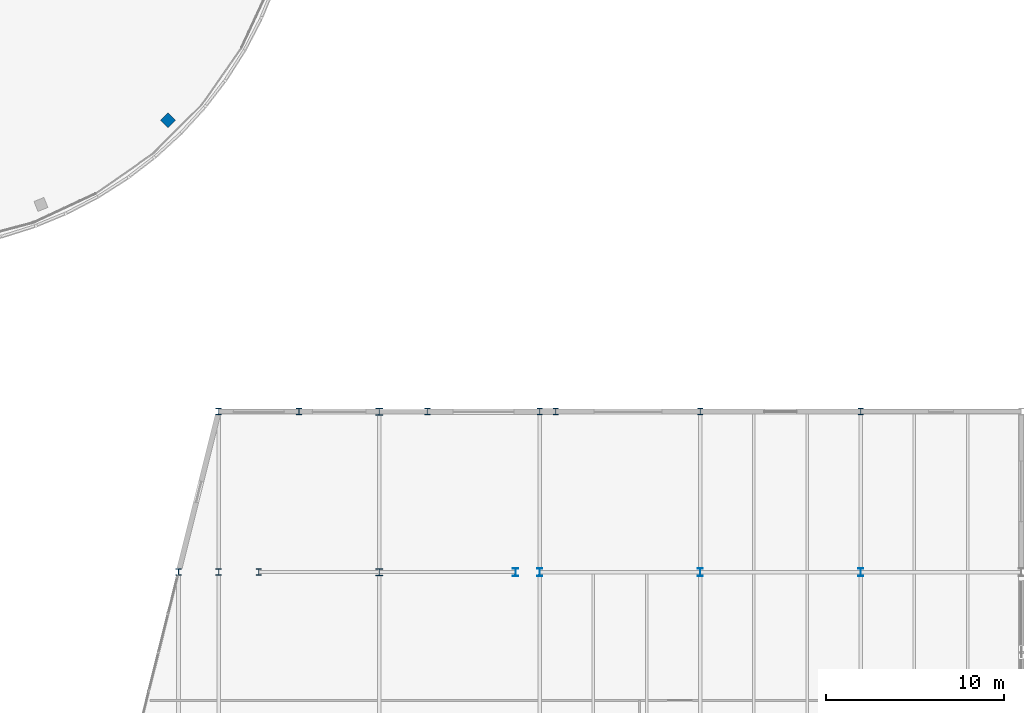
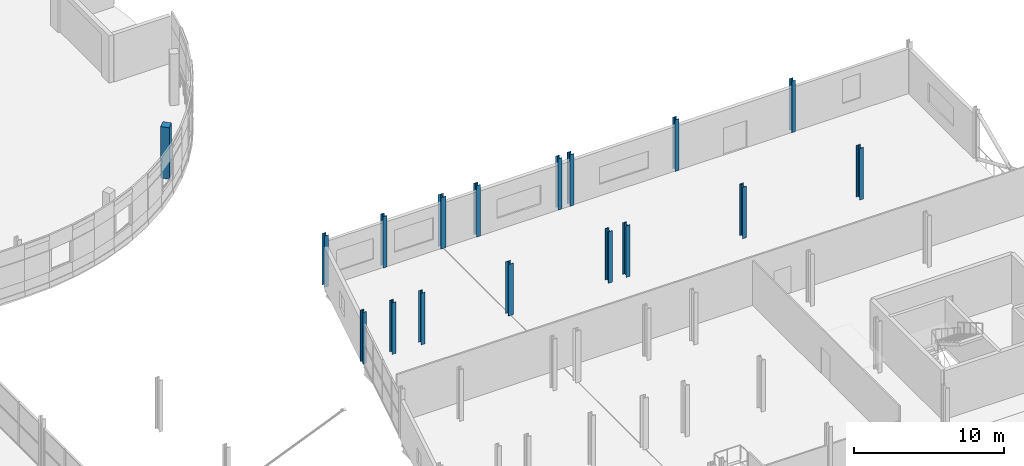
# One storey, part 20 of 140: 17 columns.
"""IFC4 building model written with IfcOpenShell, lengths in metres."""

from ifc_helpers import new_model, si_unit, direction, frame, origin, origin_2d, place, context, subcontext, project, spatial, rectangle, i_section, extrude, material, material_profile, profile_set, type_object, element, save


model = new_model("IFC4")

# Units and contexts
model_context = context("Model", 3, precision=1e-05, world=origin(), true_north=direction((0.0, 1.0)))
body_context = subcontext(model_context, "Body", "Model", "MODEL_VIEW")
ifc_project = project(units=[si_unit("LENGTHUNIT", "METRE"), si_unit("AREAUNIT", "SQUARE_METRE"), si_unit("VOLUMEUNIT", "CUBIC_METRE"), si_unit("PLANEANGLEUNIT", "RADIAN"), si_unit("MASSUNIT", "GRAM", prefix="KILO")], contexts=[model_context])

# Site, building, storey
site_placement = place(None, origin())
site = spatial("IfcSite", under=ifc_project, at=site_placement, CompositionType="ELEMENT")
building_placement = place(site_placement, origin())
building = spatial("IfcBuilding", under=site, at=building_placement, Name="Deido Ridge Mobility Hub", CompositionType="ELEMENT")
storey_placement = place(building_placement, origin())
storey = spatial("IfcBuildingStorey", under=building, at=storey_placement, Name="L00", CompositionType="ELEMENT", Elevation=0.0)

# Columns
ifc_material_1 = material(Name="Steel S355J2 EN 10025-2", Category="steel")
ifc_material_profile_1 = material_profile(ifc_material_1, i_section(OverallWidth=0.39892578125, OverallDepth=0.39306640625, WebThickness=0.017578125, FlangeThickness=0.028076171875, FilletRadius=0.014892578125, at=origin_2d()), Name="HD 400x287")
ifc_profile_set_1 = profile_set([ifc_material_profile_1], Name="Steel S355J2 EN 10025-2")
column_type_1 = type_object("IfcColumnType", Name="COL-HD400-287", PredefinedType="COLUMN", material=ifc_profile_set_1)
for number, where, z_axis, x_axis, name in (
    (1, (144.0, 63.0, 0.0), (0.0, 0.0, 1.0), (1.0, 0.0, 0.0), "Structural column C2"),
    (2, (144.0, 72.0, 0.0), (0.0, 0.0, 1.0), (1.0, 0.0, 0.0), "Structural column C2"),
):
    element("IfcColumn", number, at=place(storey_placement, frame(where, z_axis=z_axis, x_axis=x_axis)), inside=storey, type_object=column_type_1, Name=name, PredefinedType="COLUMN", context=body_context, shape_type="SweptSolid", body=[
        extrude(i_section(OverallWidth=0.39892578125, OverallDepth=0.39306640625, WebThickness=0.017578125, FlangeThickness=0.028076171875, FilletRadius=0.014892578125, at=origin_2d()), origin(), (0.0, 0.0, 1.0), 4.199951171875),
    ])
ifc_material_profile_2 = material_profile(ifc_material_1, i_section(OverallWidth=0.300048828125, OverallDepth=0.360107421875, WebThickness=0.012451171875, FlangeThickness=0.0224609375, FilletRadius=0.027099609375, at=origin_2d()), Name="HEB 360")
ifc_profile_set_2 = profile_set([ifc_material_profile_2], Name="Steel S355J2 EN 10025-2")
column_type_2 = type_object("IfcColumnType", Name="COL-HEB360", PredefinedType="COLUMN", material=ifc_profile_set_2)
for number, where, z_axis, x_axis, name in (
    (3, (132.75, 63.0, 0.0), (0.0, 0.0, 1.0), (1.0, 0.0, 0.0), "Structural column C8"),
    (4, (135.0, 63.0, 0.0), (0.0, 0.0, 1.0), (1.0, 0.0, 0.0), "Structural column C8"),
    (5, (137.25, 63.0, 0.0), (0.0, 0.0, 1.0), (1.0, 0.0, 0.0), "Structural column C8"),
    (6, (135.0, 72.0, 0.0), (0.0, 0.0, 1.0), (1.0, 0.0, 0.0), "Structural column C8"),
    (7, (139.5, 72.0, 0.0), (0.0, 0.0, 1.0), (1.0, 0.0, 0.0), "Structural column C8"),
    (8, (146.699951171875, 72.0, 0.0), (0.0, 0.0, 1.0), (1.0, 0.0, 0.0), "Structural column C8"),
    (9, (153.0, 72.0, 0.0), (0.0, 0.0, 1.0), (1.0, 0.0, 0.0), "Structural column C8"),
    (10, (153.89990234375, 72.0, 0.0), (0.0, 0.0, 1.0), (1.0, 0.0, 0.0), "Structural column C8"),
    (11, (162.0, 72.0, 0.0), (0.0, 0.0, 1.0), (1.0, 0.0, 0.0), "Structural column C8"),
    (12, (171.0, 72.0, 0.0), (0.0, 0.0, 1.0), (1.0, 0.0, 0.0), "Structural column C8"),
):
    element("IfcColumn", number, at=place(storey_placement, frame(where, z_axis=z_axis, x_axis=x_axis)), inside=storey, type_object=column_type_2, Name=name, PredefinedType="COLUMN", context=body_context, shape_type="SweptSolid", body=[
        extrude(i_section(OverallWidth=0.300048828125, OverallDepth=0.360107421875, WebThickness=0.012451171875, FlangeThickness=0.0224609375, FilletRadius=0.027099609375, at=origin_2d()), origin(), (0.0, 0.0, 1.0), 4.199951171875),
    ])
ifc_material_profile_3 = material_profile(ifc_material_1, i_section(OverallWidth=0.300048828125, OverallDepth=0.449951171875, WebThickness=0.013916015625, FlangeThickness=0.02587890625, FilletRadius=0.027099609375, at=origin_2d()), Name="HEB 450")
ifc_profile_set_3 = profile_set([ifc_material_profile_3], Name="Steel S355J2 EN 10025-2")
column_type_3 = type_object("IfcColumnType", Name="COL-HEB450", PredefinedType="COLUMN", material=ifc_profile_set_3)
for number, where, z_axis, x_axis, name in (
    (13, (151.64990234375, 63.0, 0.0), (0.0, 0.0, 1.0), (1.0, 0.0, 0.0), "Structural column C6"),
    (14, (153.0, 63.0, 0.0), (0.0, 0.0, 1.0), (1.0, 0.0, 0.0), "Structural column C6"),
    (15, (162.0, 63.0, 0.0), (0.0, 0.0, 1.0), (1.0, 0.0, 0.0), "Structural column C6"),
    (16, (171.0, 63.0, 0.0), (0.0, 0.0, 1.0), (1.0, 0.0, 0.0), "Structural column C6"),
):
    element("IfcColumn", number, at=place(storey_placement, frame(where, z_axis=z_axis, x_axis=x_axis)), inside=storey, type_object=column_type_3, Name=name, PredefinedType="COLUMN", context=body_context, shape_type="SweptSolid", body=[
        extrude(i_section(OverallWidth=0.300048828125, OverallDepth=0.449951171875, WebThickness=0.013916015625, FlangeThickness=0.02587890625, FilletRadius=0.027099609375, at=origin_2d()), origin(), (0.0, 0.0, 1.0), 4.199951171875),
    ])
ifc_material_2 = material(Name="Concrete C40/50", Category="concrete")
ifc_material_profile_4 = material_profile(ifc_material_2, rectangle(XDim=0.60009765625, YDim=0.60009765625, at=origin_2d()), Name="RC COL 600x600")
ifc_profile_set_4 = profile_set([ifc_material_profile_4], Name="Concrete C40/50")
column_type_4 = type_object("IfcColumnType", Name="COL-RC600", PredefinedType="COLUMN", material=ifc_profile_set_4)
column_placement = place(storey_placement, frame((132.16748046875, 88.33251953125, 0.0), z_axis=(0.0, 0.0, 1.0), x_axis=(0.707106781187, -0.707106781187, 0.0)))
element("IfcColumn", 17, at=column_placement, inside=storey, type_object=column_type_4, Name="Structural column RC2", PredefinedType="COLUMN", context=body_context, shape_type="SweptSolid", body=[
    extrude(rectangle(XDim=0.60009765625, YDim=0.60009765625, at=origin_2d()), origin(), (0.0, 0.0, 1.0), 4.199951171875),
])

save(model, "model.ifc")
